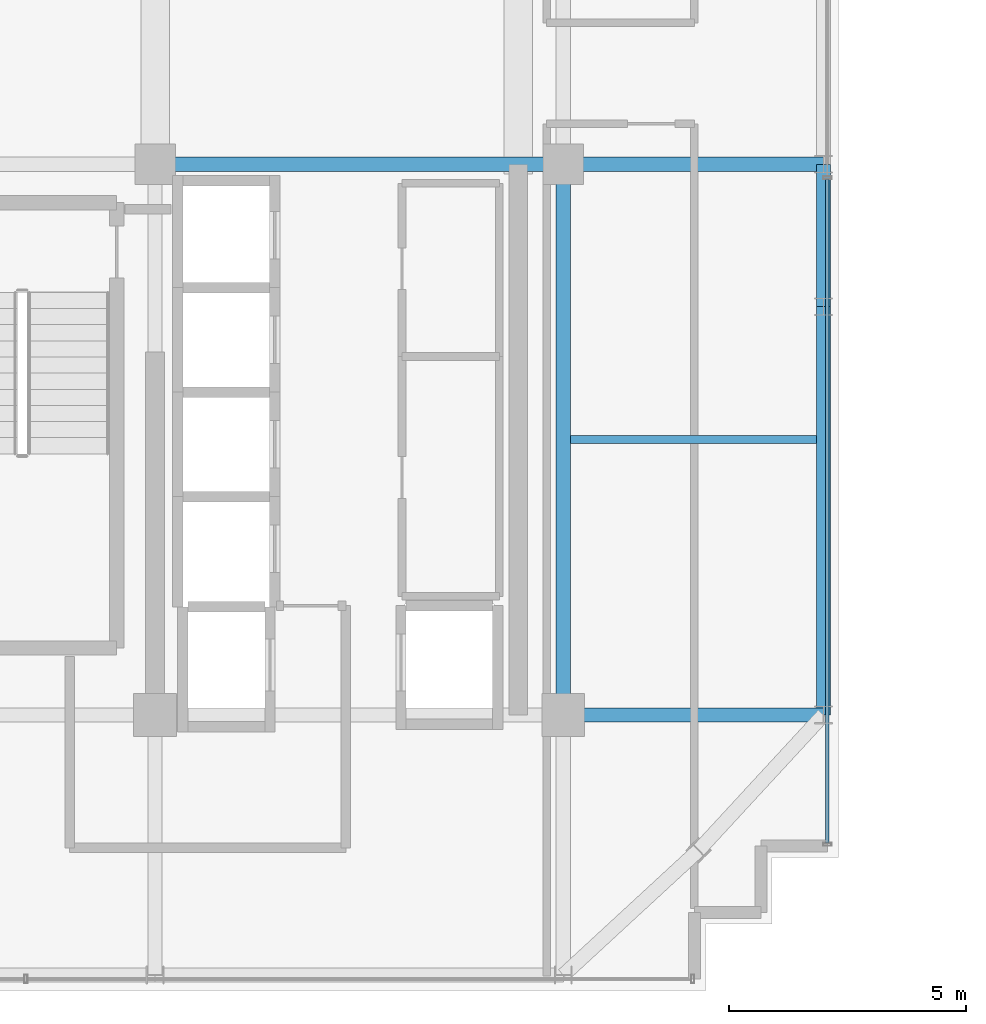
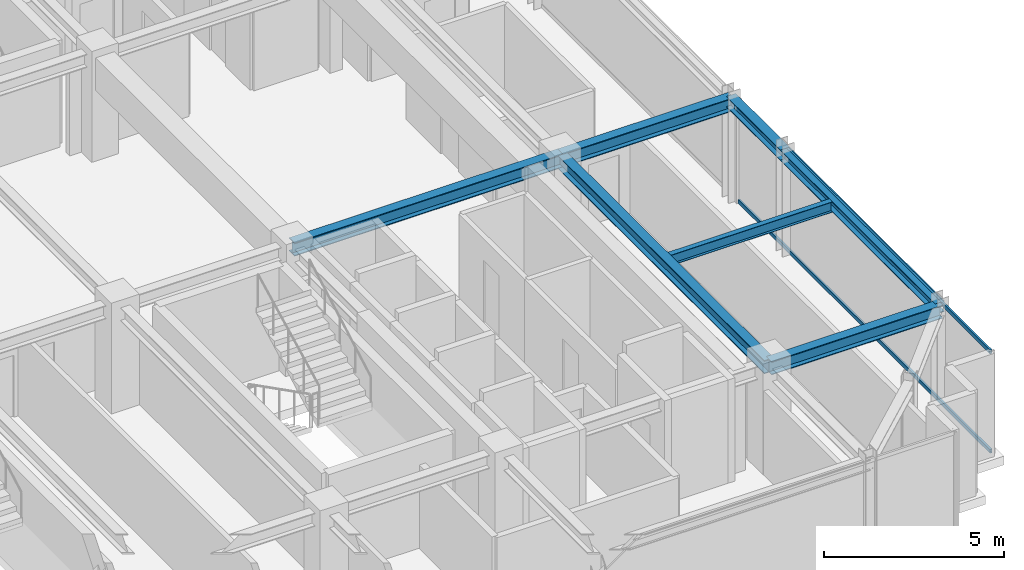
# One storey, part 12 of 33: 7 beams, 2 members, 1 element without a shape of its own.
"""IFC4 building model written with IfcOpenShell, lengths in metres."""

import ifcopenshell
import ifcopenshell.guid

model = None  # the IFC model being written
_history = None  # IfcOwnerHistory: only IFC2X3 demands one
_inside = {}  # id of a spatial element -> (the spatial element, [elements in it])
_under = {}  # id of a project, library or spatial element -> (it, [spatial elements below it])
_declared = {}  # id of a project -> (the project, [libraries it declares])
_typed = {}  # id of a type object -> (the type object, [elements of that type])
_made_of = {}  # id of a material, layer set ... -> (it, [elements and type objects made of it])


def new_model(schema):
    """Start an empty IFC model of exactly this schema.

    Asked for "IFC4X3", IfcOpenShell would pick the latest addendum, in which some entities
    have other attributes; the version numbers below select the first issue.
    IFC2X3 requires an IfcOwnerHistory on every rooted entity: one is made here for all.
    """
    global model, _history
    if schema == "IFC4X3":
        model = ifcopenshell.file(schema_version=(4, 3, 0, 0))
    else:
        model = ifcopenshell.file(schema=schema)
    _inside.clear()
    _under.clear()
    _declared.clear()
    _typed.clear()
    _made_of.clear()
    _history = None
    if model.schema == "IFC2X3":
        org = make("IfcOrganization", Name="unknown")
        user = make(
            "IfcPersonAndOrganization",
            ThePerson=make("IfcPerson", FamilyName="unknown"),
            TheOrganization=org,
        )
        app = make(
            "IfcApplication",
            ApplicationDeveloper=org,
            Version="unknown",
            ApplicationFullName="unknown",
            ApplicationIdentifier="unknown",
        )
        _history = make(
            "IfcOwnerHistory",
            OwningUser=user,
            OwningApplication=app,
            ChangeAction="ADDED",
            CreationDate=0,
        )
    return model


def make(cls, **values):
    """One entity of the class cls with the attributes given. An attribute that is None is left unset."""
    return model.create_entity(
        cls, **{name: value for name, value in values.items() if value is not None}
    )


def rooted(cls, **values):
    """An entity with a GlobalId (a new one), such as an element, a storey or a relation."""
    return make(cls, GlobalId=ifcopenshell.guid.new(), OwnerHistory=_history, **values)


def si_unit(unit_type, name, prefix=None):
    """IfcSIUnit, for example si_unit("LENGTHUNIT", "METRE", prefix="MILLI")."""
    return make("IfcSIUnit", UnitType=unit_type, Prefix=prefix, Name=name)


def assignment(units):
    """IfcUnitAssignment: the units of a project."""
    return None if units is None else make("IfcUnitAssignment", Units=units)


def point(xyz):
    """IfcCartesianPoint."""
    return None if xyz is None else make("IfcCartesianPoint", Coordinates=xyz)


def direction(xyz):
    """IfcDirection."""
    return None if xyz is None else make("IfcDirection", DirectionRatios=xyz)


def frame(location, z_axis=None, x_axis=None):
    """IfcAxis2Placement3D, a coordinate frame: its origin and axes. An axis left out is left unset."""
    return make(
        "IfcAxis2Placement3D",
        Location=point(location),
        Axis=direction(z_axis),
        RefDirection=direction(x_axis),
    )


def frame_2d(location, x_axis=None):
    """IfcAxis2Placement2D, a coordinate frame in the plane: its origin and x axis."""
    return make(
        "IfcAxis2Placement2D", Location=point(location), RefDirection=direction(x_axis)
    )


def origin():
    """The frame at (0, 0, 0) with its axes left unset."""
    return frame((0.0, 0.0, 0.0))


def origin_2d():
    """The frame at (0, 0) in the plane with its x axis left unset."""
    return frame_2d((0.0, 0.0))


def place(relative_to, where):
    """IfcLocalPlacement: puts the frame where relative to a parent placement (None: the world)."""
    return make(
        "IfcLocalPlacement", PlacementRelTo=relative_to, RelativePlacement=where
    )


def context(
    kind, dimensions, precision=None, world=None, true_north=None, identifier=None
):
    """IfcGeometricRepresentationContext, for example the 3D "Model" context."""
    return make(
        "IfcGeometricRepresentationContext",
        ContextIdentifier=identifier,
        ContextType=kind,
        CoordinateSpaceDimension=dimensions,
        Precision=precision,
        WorldCoordinateSystem=world,
        TrueNorth=true_north,
    )


def subcontext(parent, identifier, kind, view, scale=None):
    """IfcGeometricRepresentationSubContext, for example "Body" below "Model"."""
    return make(
        "IfcGeometricRepresentationSubContext",
        ContextIdentifier=identifier,
        ContextType=kind,
        ParentContext=parent,
        TargetScale=scale,
        TargetView=view,
    )


def project(units=None, contexts=None):
    """IfcProject with its units and contexts."""
    return rooted(
        "IfcProject",
        Name="project",
        RepresentationContexts=contexts,
        UnitsInContext=assignment(units),
    )


def spatial(cls, under=None, at=None, **own):
    """A site, building, storey or space (cls), placed at a placement, below another one or the project."""
    s = rooted(cls, ObjectPlacement=at, **own)
    if under is not None:
        _under.setdefault(under.id(), (under, []))[1].append(s)
    return s


def profile(cls, at=None, kind="AREA", **sizes):
    """A parametric profile (cls). Its sizes go by their IFC names, for example OverallWidth=200.0."""
    return make(cls, ProfileType=kind, Position=at, **sizes)


def hollow_rectangle(**sizes):
    """IfcRectangleHollowProfileDef."""
    return profile("IfcRectangleHollowProfileDef", **sizes)


def i_section(**sizes):
    """IfcIShapeProfileDef."""
    return profile("IfcIShapeProfileDef", **sizes)


def extrude(swept, where, along, depth):
    """IfcExtrudedAreaSolid: the profile swept, set in the frame where, extruded along a direction by depth."""
    return make(
        "IfcExtrudedAreaSolid",
        SweptArea=swept,
        Position=where,
        ExtrudedDirection=direction(along),
        Depth=depth,
    )


def shape(context_of_items, identifier, shape_type, items):
    """IfcShapeRepresentation: the items that make up one representation, for example the "Body"."""
    return make(
        "IfcShapeRepresentation",
        ContextOfItems=context_of_items,
        RepresentationIdentifier=identifier,
        RepresentationType=shape_type,
        Items=items,
    )


def source(mapping_origin, context_of_items, identifier, shape_type, items):
    """IfcRepresentationMap: a shape defined once, which mapped items show again and again."""
    return make(
        "IfcRepresentationMap",
        MappingOrigin=mapping_origin,
        MappedRepresentation=shape(context_of_items, identifier, shape_type, items),
    )


def transform(
    local_origin,
    x_axis=None,
    y_axis=None,
    z_axis=None,
    scale=None,
    scale2=None,
    scale3=None,
    uniform=True,
):
    """IfcCartesianTransformationOperator3D, or its non-uniform kind. x_axis, y_axis, z_axis: its Axis1, 2, 3."""
    if uniform:
        return make(
            "IfcCartesianTransformationOperator3D",
            Axis1=direction(x_axis),
            Axis2=direction(y_axis),
            LocalOrigin=point(local_origin),
            Scale=scale,
            Axis3=direction(z_axis),
        )
    return make(
        "IfcCartesianTransformationOperator3DnonUniform",
        Axis1=direction(x_axis),
        Axis2=direction(y_axis),
        LocalOrigin=point(local_origin),
        Scale=scale,
        Axis3=direction(z_axis),
        Scale2=scale2,
        Scale3=scale3,
    )


def mapped(mapping_source, mapping_target):
    """IfcMappedItem: shows the shape of a source again, moved by a transform."""
    return make(
        "IfcMappedItem", MappingSource=mapping_source, MappingTarget=mapping_target
    )


def material(Name=None, Category=None):
    """IfcMaterial."""
    return make("IfcMaterial", Name=Name, Category=Category)


def material_profile(
    of_material, cross_section, Name=None, Category=None, Priority=None
):
    """IfcMaterialProfile: a cross section and its material."""
    return make(
        "IfcMaterialProfile",
        Name=Name,
        Material=of_material,
        Profile=cross_section,
        Priority=Priority,
        Category=Category,
    )


def profile_set(profiles, Name=None, composite=None):
    """IfcMaterialProfileSet."""
    return make(
        "IfcMaterialProfileSet",
        Name=Name,
        MaterialProfiles=profiles,
        CompositeProfile=composite,
    )


def made_of(thing, what):
    """Note that an element or type object is made of a material, layer set ...; save() writes the relation."""
    if what is not None:
        _made_of.setdefault(what.id(), (what, []))[1].append(thing)
    return thing


def type_object(cls, material=None, **own):
    """A type object (cls), such as IfcWallType, which elements share."""
    return made_of(rooted(cls, **own), material)


def element(
    cls,
    number,
    at=None,
    inside=None,
    cuts=None,
    type_object=None,
    material=None,
    context=None,
    identifier="Body",
    shape_type=None,
    held_by="IfcProductDefinitionShape",
    body=None,
    shapes=None,
    **own,
):
    """One element of the class cls, such as IfcWall. Its Tag is "e" and its number.

    at: its placement. inside: the storey or other place that contains it. cuts: it is an
    opening in that element (IfcRelVoidsElement). A single representation is given by context,
    identifier, shape_type and body (its items); several are given by shapes. held_by: the class
    of the entity that holds the representations. save() writes the other relations.
    """
    e = rooted(cls, Tag="e%d" % number, ObjectPlacement=at, **own)
    if body is not None:
        shapes = [shape(context, identifier, shape_type, body)]
    if shapes is not None:
        e.Representation = make(held_by, Representations=shapes)
    if inside is not None:
        _inside.setdefault(inside.id(), (inside, []))[1].append(e)
    if cuts is not None:
        rooted(
            "IfcRelVoidsElement", RelatingBuildingElement=cuts, RelatedOpeningElement=e
        )
    if type_object is not None:
        _typed.setdefault(type_object.id(), (type_object, []))[1].append(e)
    return made_of(e, material)


def aggregate(whole, parts):
    """IfcRelAggregates: a whole, such as a stair, and the parts it consists of."""
    return rooted("IfcRelAggregates", RelatingObject=whole, RelatedObjects=parts)


def save(model, path):
    """Write the relations noted so far, then the file.

    IfcRelAggregates (storeys below a building ...), IfcRelContainedInSpatialStructure (elements
    in a storey), IfcRelDefinesByType, IfcRelAssociatesMaterial and IfcRelDeclares: one each for
    every whole, place, type object, material and project.
    """
    for whole, parts in _under.values():
        aggregate(whole, parts)
    for where, things in _inside.values():
        rooted(
            "IfcRelContainedInSpatialStructure",
            RelatedElements=things,
            RelatingStructure=where,
        )
    for kind, things in _typed.values():
        rooted("IfcRelDefinesByType", RelatedObjects=things, RelatingType=kind)
    for what, things in _made_of.values():
        rooted("IfcRelAssociatesMaterial", RelatedObjects=things, RelatingMaterial=what)
    for by, libraries in _declared.values():
        rooted("IfcRelDeclares", RelatingContext=by, RelatedDefinitions=libraries)
    model.write(path)


model = new_model("IFC4")

# Units and contexts
model_context = context("Model", 3, precision=1e-05, world=origin(), true_north=direction((0.0, 1.0)))
body_context = subcontext(model_context, "Body", "Model", "MODEL_VIEW")
ifc_project = project(units=[si_unit("LENGTHUNIT", "METRE"), si_unit("AREAUNIT", "SQUARE_METRE"), si_unit("VOLUMEUNIT", "CUBIC_METRE"), si_unit("PLANEANGLEUNIT", "RADIAN"), si_unit("MASSUNIT", "GRAM", prefix="KILO")], contexts=[model_context])

# Site, building, storey
site_placement = place(None, origin())
site = spatial("IfcSite", under=ifc_project, at=site_placement, CompositionType="ELEMENT")
building_placement = place(site_placement, origin())
building = spatial("IfcBuilding", under=site, at=building_placement, Name="Nahalor Promenade Grand Hotel", CompositionType="ELEMENT")
storey_placement = place(building_placement, frame((0.0, 0.0, 315.75)))
storey = spatial("IfcBuildingStorey", under=building, at=storey_placement, Name="L81", CompositionType="ELEMENT", Elevation=315.75)

# Beams
ifc_material_1 = material(Name="Steel S355JR", Category="steel")
ifc_material_profile_1 = material_profile(ifc_material_1, i_section(OverallWidth=0.3, OverallDepth=0.45, WebThickness=0.014, FlangeThickness=0.026, at=origin_2d()), Name="HEB 450")
ifc_profile_set_1 = profile_set([ifc_material_profile_1], Name="Steel S355JR")
beam_type_1 = type_object("IfcBeamType", Name="Beam-Girder-HEB450", PredefinedType="BEAM", material=ifc_profile_set_1)
shared_shape_1 = source(origin(), body_context, "Body", "SweptSolid", [
    extrude(i_section(OverallWidth=0.3, OverallDepth=0.45, WebThickness=0.014, FlangeThickness=0.026, at=origin_2d()), origin(), (0.0, 0.0, 1.0), 8.60009765625),
])
beam_1_placement = place(storey_placement, frame((8.39990234375, -5.39990234375, 3.27490234375), z_axis=(1.0, 0.0, 0.0), x_axis=(0.0, 1.0, 0.0)))
element("IfcBeam", 1, at=beam_1_placement, inside=storey, type_object=beam_type_1, Name="BM-L81-GX-1-5", PredefinedType="BEAM", context=body_context, shape_type="MappedRepresentation", body=[
    mapped(shared_shape_1, transform((0.0, 0.0, 0.0), scale=1.0)),
])
shared_shape_2 = source(origin(), body_context, "Body", "SweptSolid", [
    extrude(i_section(OverallWidth=0.3, OverallDepth=0.45, WebThickness=0.014, FlangeThickness=0.026, at=origin_2d()), origin(), (0.0, 0.0, 1.0), 11.60009765625),
])
beam_2_placement = place(storey_placement, frame((17.0, -17.0, 3.27490234375), z_axis=(0.0, 1.0, 0.0), x_axis=(-1.0, 0.0, 0.0)))
element("IfcBeam", 2, at=beam_2_placement, inside=storey, type_object=beam_type_1, Name="BM-L81-GY-5-1", PredefinedType="BEAM", context=body_context, shape_type="MappedRepresentation", body=[
    mapped(shared_shape_2, transform((0.0, 0.0, 0.0), scale=1.0)),
])
shared_shape_3 = source(origin(), body_context, "Body", "SweptSolid", [
    extrude(i_section(OverallWidth=0.3, OverallDepth=0.45, WebThickness=0.014, FlangeThickness=0.026, at=origin_2d()), origin(), (0.0, 0.0, 1.0), 5.47998046875),
])
for number, where, z_axis, x_axis, name in (
    (3, (17.0, -17.0, 3.27490234375), (1.0, 0.0, 0.0), (0.0, 1.0, 0.0), "BM-L81-GX-0-6"),
    (4, (17.0, -5.39990234375, 3.27490234375), (1.0, 0.0, 0.0), (0.0, 1.0, 0.0), "BM-L81-GX-1-6"),
):
    element("IfcBeam", number, at=place(storey_placement, frame(where, z_axis=z_axis, x_axis=x_axis)), inside=storey, type_object=beam_type_1, Name=name, PredefinedType="BEAM", context=body_context, shape_type="MappedRepresentation", body=[
        mapped(shared_shape_3, transform((0.0, 0.0, 0.0), scale=1.0)),
    ])
ifc_material_profile_2 = material_profile(ifc_material_1, i_section(OverallWidth=0.3, OverallDepth=0.36, WebThickness=0.0125, FlangeThickness=0.0225, at=origin_2d()), Name="HEB 360")
ifc_profile_set_2 = profile_set([ifc_material_profile_2], Name="Steel S355JR")
beam_type_2 = type_object("IfcBeamType", Name="Beam-Spandrel-HEB360", PredefinedType="SPANDREL", material=ifc_profile_set_2)
shared_shape_4 = source(origin(), body_context, "Body", "SweptSolid", [
    extrude(i_section(OverallWidth=0.3, OverallDepth=0.36, WebThickness=0.0125, FlangeThickness=0.0225, at=origin_2d()), origin(), (0.0, 0.0, 1.0), 8.60009765625),
])
beam_3_placement = place(storey_placement, frame((22.47998046875, -17.0, 3.320068359375), z_axis=(0.0, 1.0, 0.0), x_axis=(-1.0, 0.0, 0.0)))
element("IfcBeam", 5, at=beam_3_placement, inside=storey, type_object=beam_type_2, Name="BM-L81-SP-E-0", PredefinedType="SPANDREL", context=body_context, shape_type="MappedRepresentation", body=[
    mapped(shared_shape_4, transform((0.0, 0.0, 0.0), scale=1.0)),
])
shared_shape_5 = source(origin(), body_context, "Body", "SweptSolid", [
    extrude(i_section(OverallWidth=0.3, OverallDepth=0.36, WebThickness=0.0125, FlangeThickness=0.0225, at=origin_2d()), origin(), (0.0, 0.0, 1.0), 3.0),
])
beam_4_placement = place(storey_placement, frame((22.47998046875, -8.39990234375, 3.320068359375), z_axis=(0.0, 1.0, 0.0), x_axis=(-1.0, 0.0, 0.0)))
element("IfcBeam", 6, at=beam_4_placement, inside=storey, type_object=beam_type_2, Name="BM-L81-SP-E-1", PredefinedType="SPANDREL", context=body_context, shape_type="MappedRepresentation", body=[
    mapped(shared_shape_5, transform((0.0, 0.0, 0.0), scale=1.0)),
])
ifc_material_profile_3 = material_profile(ifc_material_1, i_section(OverallWidth=0.17, OverallDepth=0.36, WebThickness=0.008, FlangeThickness=0.0127, at=origin_2d()), Name="IPE 360")
ifc_profile_set_3 = profile_set([ifc_material_profile_3], Name="Steel S355JR")
beam_type_3 = type_object("IfcBeamType", Name="Beam-Joist-IPE360", PredefinedType="JOIST", material=ifc_profile_set_3)
shared_shape_6 = source(origin(), body_context, "Body", "SweptSolid", [
    extrude(i_section(OverallWidth=0.17, OverallDepth=0.36, WebThickness=0.008, FlangeThickness=0.0127, at=origin_2d()), origin(), (0.0, 0.0, 1.0), 5.18017578125),
])
beam_5_placement = place(storey_placement, frame((17.14990234375, -11.199951171875, 3.320068359375), z_axis=(1.0, 0.0, 0.0), x_axis=(0.0, 1.0, 0.0)))
element("IfcBeam", 7, at=beam_5_placement, inside=storey, type_object=beam_type_3, Name="BM-L81-JSE-0-2", PredefinedType="JOIST", context=body_context, shape_type="MappedRepresentation", body=[
    mapped(shared_shape_6, transform((0.0, 0.0, 0.0), scale=1.0)),
])

# Curtain wall, members
ifc_material_2 = material(Name="Anodised Bronze Aluminium EN AW-6063 T6", Category="aluminium")
curtain_wall_type = type_object("IfcCurtainWallType", Name="CW2 Typical Hotel Flush Bronze Unitised Curtain Wall", PredefinedType="USERDEFINED", material=ifc_material_2)
curtain_wall_placement = place(storey_placement, origin())
curtain_wall = element("IfcCurtainWall", 8, at=curtain_wall_placement, inside=storey, type_object=curtain_wall_type, Name="L81 Curtain Wall CW-L81-E-1", ObjectType="UNITISED_CURTAIN_WALL", PredefinedType="USERDEFINED")
ifc_material_profile_4 = material_profile(ifc_material_2, hollow_rectangle(XDim=0.065, YDim=0.13, WallThickness=0.004, at=origin_2d()), Name="CWT 65x130x4")
ifc_profile_set_4 = profile_set([ifc_material_profile_4], Name="Anodised Bronze Aluminium EN AW-6063 T6")
member_type = type_object("IfcMemberType", Name="CWT2 Typical Bronze Transom 65x130", PredefinedType="USERDEFINED", material=ifc_profile_set_4)
shared_shape_7 = source(origin(), body_context, "Body", "SweptSolid", [
    extrude(hollow_rectangle(XDim=0.065, YDim=0.13, WallThickness=0.004, at=origin_2d()), origin(), (0.0, 0.0, 1.0), 13.982666015625),
])
member_1_placement = place(storey_placement, frame((22.56005859375, -19.695068359375, 0.06494140625), z_axis=(0.0, 1.0, 0.0), x_axis=(-1.0, 0.0, 0.0)))
member_1 = element("IfcMember", 9, at=member_1_placement, type_object=member_type, Name="CW-L81-E-1 Transom 0-0", ObjectType="TRANSOM", PredefinedType="USERDEFINED", context=body_context, shape_type="MappedRepresentation", body=[
    mapped(shared_shape_7, transform((0.0, 0.0, 0.0), scale=1.0)),
])
member_2_placement = place(storey_placement, frame((22.56005859375, -19.695068359375, 3.43505859375), z_axis=(0.0, 1.0, 0.0), x_axis=(-1.0, 0.0, 0.0)))
member_2 = element("IfcMember", 10, at=member_2_placement, type_object=member_type, Name="CW-L81-E-1 Transom 0-1", ObjectType="TRANSOM", PredefinedType="USERDEFINED", context=body_context, shape_type="MappedRepresentation", body=[
    mapped(shared_shape_7, transform((0.0, 0.0, 0.0), scale=1.0)),
])
aggregate(curtain_wall, [member_1, member_2])

save(model, "model.ifc")
